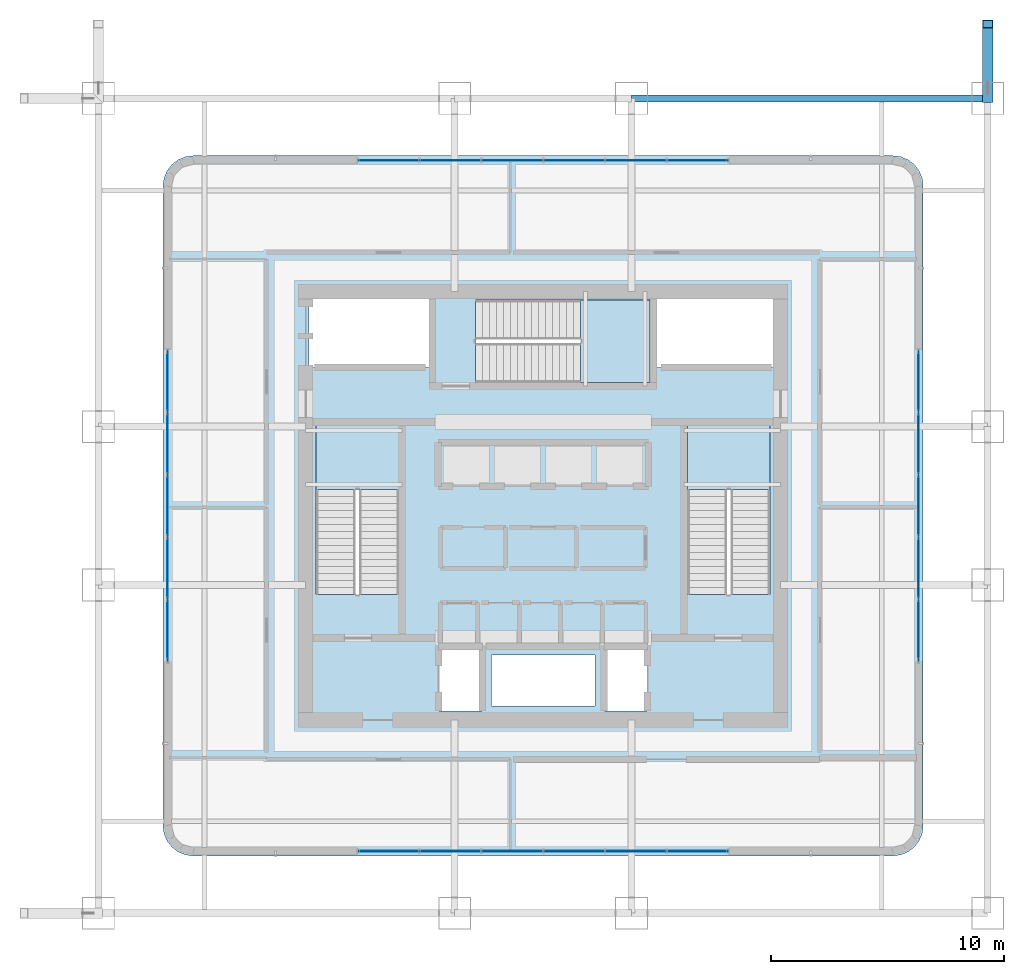
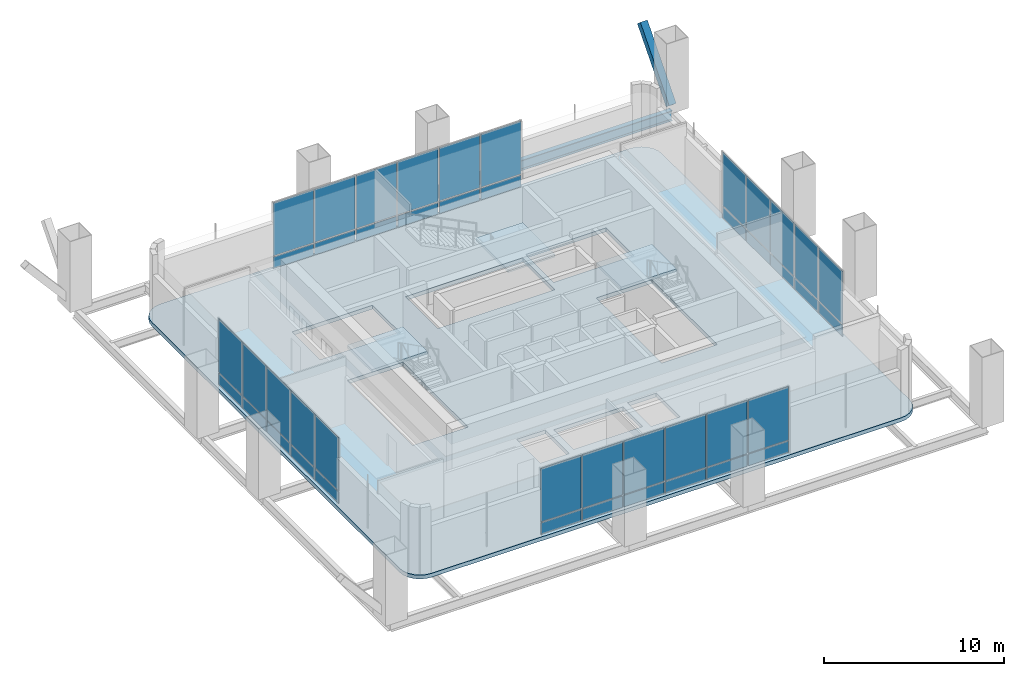
# One storey, part 15 of 30: 44 plates, 4 slabs, 1 beam, 1 member, 7 elements without a shape of their own.
"""IFC4 building model written with IfcOpenShell, lengths in metres."""

from ifc_helpers import new_model, si_unit, direction, frame, origin, origin_2d, place, context, subcontext, project, spatial, polyline, rectangle, hollow_rectangle, i_section, outline, extrude, material, layer, layer_set, material_profile, profile_set, type_object, element, aggregate, save


model = new_model("IFC4")

# Units and contexts
model_context = context("Model", 3, precision=1e-05, world=origin(), true_north=direction((0.0, 1.0)))
body_context = subcontext(model_context, "Body", "Model", "MODEL_VIEW")
ifc_project = project(units=[si_unit("LENGTHUNIT", "METRE"), si_unit("AREAUNIT", "SQUARE_METRE"), si_unit("VOLUMEUNIT", "CUBIC_METRE"), si_unit("PLANEANGLEUNIT", "RADIAN"), si_unit("MASSUNIT", "GRAM", prefix="KILO")], contexts=[model_context])

# Site, building, storey
site_placement = place(None, origin())
site = spatial("IfcSite", under=ifc_project, at=site_placement, CompositionType="ELEMENT")
building_placement = place(site_placement, origin())
building = spatial("IfcBuilding", under=site, at=building_placement, Name="Punatoya Terracotta Tower", CompositionType="ELEMENT")
storey_placement = place(building_placement, frame((0.0, 0.0, 135.0)))
storey = spatial("IfcBuildingStorey", under=building, at=storey_placement, Name="L31", CompositionType="ELEMENT", Elevation=135.0)

# Beam
ifc_material_1 = material(Name="Steel S355", Category="steel")
ifc_material_profile_1 = material_profile(ifc_material_1, i_section(OverallWidth=0.300048828125, OverallDepth=0.699951171875, WebThickness=0.01708984375, FlangeThickness=0.031982421875, FilletRadius=0.01806640625, at=origin_2d()))
ifc_profile_set_1 = profile_set([ifc_material_profile_1], Name="Steel S355")
beam_type = type_object("IfcBeamType", Name="BM-PRI-700", PredefinedType="BEAM", material=ifc_profile_set_1)
beam_placement = place(storey_placement, frame((3.800048828125, 17.5, -0.610107421875), z_axis=(1.0, 0.0, 0.0), x_axis=(0.0, 1.0, 0.0)))
element("IfcBeam", 1, at=beam_placement, inside=storey, type_object=beam_type, Name="BM-L31-RG-N3", PredefinedType="BEAM", context=body_context, shape_type="SweptSolid", body=[
    extrude(i_section(OverallWidth=0.300048828125, OverallDepth=0.699951171875, WebThickness=0.01708984375, FlangeThickness=0.031982421875, FilletRadius=0.01806640625, at=origin_2d()), origin(), (0.0, 0.0, 1.0), 15.300048828125),
])

# Member
ifc_material_2 = material(Name="Steel S460", Category="steel")
ifc_material_profile_2 = material_profile(ifc_material_2, hollow_rectangle(XDim=0.449951171875, YDim=0.449951171875, WallThickness=0.02490234375, at=origin_2d()))
ifc_profile_set_2 = profile_set([ifc_material_profile_2], Name="Steel S460")
member_type = type_object("IfcMemberType", Name="MEM-STR-450", PredefinedType="STRUT", material=ifc_profile_set_2)
member_placement = place(storey_placement, frame((19.10009765625, 17.5, 0.02001953125), z_axis=(0.0, 0.654151161257, 0.756363839845), x_axis=(-1.0, 0.0, 0.0)))
element("IfcMember", 2, at=member_placement, inside=storey, type_object=member_type, Name="L32 Cantilever Raking Knee-Strut N2", PredefinedType="STRUT", context=body_context, shape_type="SweptSolid", body=[
    extrude(hollow_rectangle(XDim=0.449951171875, YDim=0.449951171875, WallThickness=0.02490234375, at=origin_2d()), origin(), (0.0, 0.0, 1.0), 4.891845703125),
])

# Curtain wall, plates
ifc_material_3 = material(Name="Aluminium 6063-T6 + Double Low-E Glass", Category="aluminium")
curtain_wall_type = type_object("IfcCurtainWallType", Name="CW-NCK", PredefinedType="NOTDEFINED", material=ifc_material_3)
curtain_wall_1_placement = place(storey_placement, origin())
curtain_wall_1 = element("IfcCurtainWall", 3, at=curtain_wall_1_placement, inside=storey, type_object=curtain_wall_type, Name="L31 Curtain Wall CW-L31-S01-1", PredefinedType="NOTDEFINED")
ifc_material_4 = material(Name="Double Low-E Acoustic Vision Glass", Category="glass")
ifc_layer_1 = layer(ifc_material_4, 0.031982421875)
ifc_layer_set_1 = layer_set([ifc_layer_1], Name="Double Low-E Acoustic Vision Glass")
plate_type_1 = type_object("IfcPlateType", Name="PLT-GLZ-32", PredefinedType="CURTAIN_PANEL", material=ifc_layer_set_1)
plate_1_placement = place(storey_placement, frame((-6.64990234375, -14.840087890625, 0.89013671875), z_axis=(0.0, 0.0, 1.0), x_axis=(1.0, 0.0, 0.0)))
plate_1 = element("IfcPlate", 4, at=plate_1_placement, type_object=plate_type_1, Name="CW-L31-S01-1 Vision Glass Panel 1", PredefinedType="CURTAIN_PANEL", context=body_context, shape_type="SweptSolid", body=[
    extrude(rectangle(XDim=2.574951171875, YDim=0.031982421875, at=origin_2d()), origin(), (0.0, 0.0, 1.0), 3.590087890625),
])
plate_2_placement = place(storey_placement, frame((-3.989990234375, -14.840087890625, 0.89013671875), z_axis=(0.0, 0.0, 1.0), x_axis=(1.0, 0.0, 0.0)))
plate_2 = element("IfcPlate", 5, at=plate_2_placement, type_object=plate_type_1, Name="CW-L31-S01-1 Vision Glass Panel 2", PredefinedType="CURTAIN_PANEL", context=body_context, shape_type="SweptSolid", body=[
    extrude(rectangle(XDim=2.574951171875, YDim=0.031982421875, at=origin_2d()), origin(), (0.0, 0.0, 1.0), 3.590087890625),
])
plate_3_placement = place(storey_placement, frame((-1.330078125, -14.840087890625, 0.89013671875), z_axis=(0.0, 0.0, 1.0), x_axis=(1.0, 0.0, 0.0)))
plate_3 = element("IfcPlate", 6, at=plate_3_placement, type_object=plate_type_1, Name="CW-L31-S01-1 Vision Glass Panel 3", PredefinedType="CURTAIN_PANEL", context=body_context, shape_type="SweptSolid", body=[
    extrude(rectangle(XDim=2.574951171875, YDim=0.031982421875, at=origin_2d()), origin(), (0.0, 0.0, 1.0), 3.590087890625),
])
plate_4_placement = place(storey_placement, frame((1.330078125, -14.840087890625, 0.89013671875), z_axis=(0.0, 0.0, 1.0), x_axis=(1.0, 0.0, 0.0)))
plate_4 = element("IfcPlate", 7, at=plate_4_placement, type_object=plate_type_1, Name="CW-L31-S01-1 Vision Glass Panel 4", PredefinedType="CURTAIN_PANEL", context=body_context, shape_type="SweptSolid", body=[
    extrude(rectangle(XDim=2.574951171875, YDim=0.031982421875, at=origin_2d()), origin(), (0.0, 0.0, 1.0), 3.590087890625),
])
plate_5_placement = place(storey_placement, frame((3.989990234375, -14.840087890625, 0.89013671875), z_axis=(0.0, 0.0, 1.0), x_axis=(1.0, 0.0, 0.0)))
plate_5 = element("IfcPlate", 8, at=plate_5_placement, type_object=plate_type_1, Name="CW-L31-S01-1 Vision Glass Panel 5", PredefinedType="CURTAIN_PANEL", context=body_context, shape_type="SweptSolid", body=[
    extrude(rectangle(XDim=2.574951171875, YDim=0.031982421875, at=origin_2d()), origin(), (0.0, 0.0, 1.0), 3.590087890625),
])
plate_6_placement = place(storey_placement, frame((6.64990234375, -14.840087890625, 0.89013671875), z_axis=(0.0, 0.0, 1.0), x_axis=(1.0, 0.0, 0.0)))
plate_6 = element("IfcPlate", 9, at=plate_6_placement, type_object=plate_type_1, Name="CW-L31-S01-1 Vision Glass Panel 6", PredefinedType="CURTAIN_PANEL", context=body_context, shape_type="SweptSolid", body=[
    extrude(rectangle(XDim=2.574951171875, YDim=0.031982421875, at=origin_2d()), origin(), (0.0, 0.0, 1.0), 3.590087890625),
])

curtain_wall_2_placement = place(storey_placement, origin())
curtain_wall_2 = element("IfcCurtainWall", 10, at=curtain_wall_2_placement, inside=storey, type_object=curtain_wall_type, Name="L31 Curtain Wall CW-L31-E05-1", PredefinedType="NOTDEFINED")
plate_7_placement = place(storey_placement, frame((16.1298828125, -5.35205078125, 0.89013671875), z_axis=(0.0, 0.0, 1.0), x_axis=(0.0, 1.0, 0.0)))
plate_7 = element("IfcPlate", 11, at=plate_7_placement, type_object=plate_type_1, Name="CW-L31-E05-1 Vision Glass Panel 1", PredefinedType="CURTAIN_PANEL", context=body_context, shape_type="SweptSolid", body=[
    extrude(rectangle(XDim=2.591064453125, YDim=0.031982421875, at=origin_2d()), origin(), (0.0, 0.0, 1.0), 3.590087890625),
])
plate_8_placement = place(storey_placement, frame((16.1298828125, -2.676025390625, 0.89013671875), z_axis=(0.0, 0.0, 1.0), x_axis=(0.0, 1.0, 0.0)))
plate_8 = element("IfcPlate", 12, at=plate_8_placement, type_object=plate_type_1, Name="CW-L31-E05-1 Vision Glass Panel 2", PredefinedType="CURTAIN_PANEL", context=body_context, shape_type="SweptSolid", body=[
    extrude(rectangle(XDim=2.591064453125, YDim=0.031982421875, at=origin_2d()), origin(), (0.0, 0.0, 1.0), 3.590087890625),
])
plate_9_placement = place(storey_placement, frame((16.1298828125, 0.0, 0.89013671875), z_axis=(0.0, 0.0, 1.0), x_axis=(0.0, 1.0, 0.0)))
plate_9 = element("IfcPlate", 13, at=plate_9_placement, type_object=plate_type_1, Name="CW-L31-E05-1 Vision Glass Panel 3", PredefinedType="CURTAIN_PANEL", context=body_context, shape_type="SweptSolid", body=[
    extrude(rectangle(XDim=2.591064453125, YDim=0.031982421875, at=origin_2d()), origin(), (0.0, 0.0, 1.0), 3.590087890625),
])
plate_10_placement = place(storey_placement, frame((16.1298828125, 2.676025390625, 0.89013671875), z_axis=(0.0, 0.0, 1.0), x_axis=(0.0, 1.0, 0.0)))
plate_10 = element("IfcPlate", 14, at=plate_10_placement, type_object=plate_type_1, Name="CW-L31-E05-1 Vision Glass Panel 4", PredefinedType="CURTAIN_PANEL", context=body_context, shape_type="SweptSolid", body=[
    extrude(rectangle(XDim=2.591064453125, YDim=0.031982421875, at=origin_2d()), origin(), (0.0, 0.0, 1.0), 3.590087890625),
])
plate_11_placement = place(storey_placement, frame((16.1298828125, 5.35205078125, 0.89013671875), z_axis=(0.0, 0.0, 1.0), x_axis=(0.0, 1.0, 0.0)))
plate_11 = element("IfcPlate", 15, at=plate_11_placement, type_object=plate_type_1, Name="CW-L31-E05-1 Vision Glass Panel 5", PredefinedType="CURTAIN_PANEL", context=body_context, shape_type="SweptSolid", body=[
    extrude(rectangle(XDim=2.591064453125, YDim=0.031982421875, at=origin_2d()), origin(), (0.0, 0.0, 1.0), 3.590087890625),
])

curtain_wall_3_placement = place(storey_placement, origin())
curtain_wall_3 = element("IfcCurtainWall", 16, at=curtain_wall_3_placement, inside=storey, type_object=curtain_wall_type, Name="L31 Curtain Wall CW-L31-N09-1", PredefinedType="NOTDEFINED")
plate_12_placement = place(storey_placement, frame((6.64990234375, 14.840087890625, 0.89013671875), z_axis=(0.0, 0.0, 1.0), x_axis=(-1.0, 0.0, 0.0)))
plate_12 = element("IfcPlate", 17, at=plate_12_placement, type_object=plate_type_1, Name="CW-L31-N09-1 Vision Glass Panel 1", PredefinedType="CURTAIN_PANEL", context=body_context, shape_type="SweptSolid", body=[
    extrude(rectangle(XDim=2.574951171875, YDim=0.031982421875, at=origin_2d()), origin(), (0.0, 0.0, 1.0), 3.590087890625),
])
plate_13_placement = place(storey_placement, frame((3.989990234375, 14.840087890625, 0.89013671875), z_axis=(0.0, 0.0, 1.0), x_axis=(-1.0, 0.0, 0.0)))
plate_13 = element("IfcPlate", 18, at=plate_13_placement, type_object=plate_type_1, Name="CW-L31-N09-1 Vision Glass Panel 2", PredefinedType="CURTAIN_PANEL", context=body_context, shape_type="SweptSolid", body=[
    extrude(rectangle(XDim=2.574951171875, YDim=0.031982421875, at=origin_2d()), origin(), (0.0, 0.0, 1.0), 3.590087890625),
])
plate_14_placement = place(storey_placement, frame((1.330078125, 14.840087890625, 0.89013671875), z_axis=(0.0, 0.0, 1.0), x_axis=(-1.0, 0.0, 0.0)))
plate_14 = element("IfcPlate", 19, at=plate_14_placement, type_object=plate_type_1, Name="CW-L31-N09-1 Vision Glass Panel 3", PredefinedType="CURTAIN_PANEL", context=body_context, shape_type="SweptSolid", body=[
    extrude(rectangle(XDim=2.574951171875, YDim=0.031982421875, at=origin_2d()), origin(), (0.0, 0.0, 1.0), 3.590087890625),
])
plate_15_placement = place(storey_placement, frame((-1.330078125, 14.840087890625, 0.89013671875), z_axis=(0.0, 0.0, 1.0), x_axis=(-1.0, 0.0, 0.0)))
plate_15 = element("IfcPlate", 20, at=plate_15_placement, type_object=plate_type_1, Name="CW-L31-N09-1 Vision Glass Panel 4", PredefinedType="CURTAIN_PANEL", context=body_context, shape_type="SweptSolid", body=[
    extrude(rectangle(XDim=2.574951171875, YDim=0.031982421875, at=origin_2d()), origin(), (0.0, 0.0, 1.0), 3.590087890625),
])
plate_16_placement = place(storey_placement, frame((-3.989990234375, 14.840087890625, 0.89013671875), z_axis=(0.0, 0.0, 1.0), x_axis=(-1.0, 0.0, 0.0)))
plate_16 = element("IfcPlate", 21, at=plate_16_placement, type_object=plate_type_1, Name="CW-L31-N09-1 Vision Glass Panel 5", PredefinedType="CURTAIN_PANEL", context=body_context, shape_type="SweptSolid", body=[
    extrude(rectangle(XDim=2.574951171875, YDim=0.031982421875, at=origin_2d()), origin(), (0.0, 0.0, 1.0), 3.590087890625),
])
plate_17_placement = place(storey_placement, frame((-6.64990234375, 14.840087890625, 0.89013671875), z_axis=(0.0, 0.0, 1.0), x_axis=(-1.0, 0.0, 0.0)))
plate_17 = element("IfcPlate", 22, at=plate_17_placement, type_object=plate_type_1, Name="CW-L31-N09-1 Vision Glass Panel 6", PredefinedType="CURTAIN_PANEL", context=body_context, shape_type="SweptSolid", body=[
    extrude(rectangle(XDim=2.574951171875, YDim=0.031982421875, at=origin_2d()), origin(), (0.0, 0.0, 1.0), 3.590087890625),
])

curtain_wall_4_placement = place(storey_placement, origin())
curtain_wall_4 = element("IfcCurtainWall", 23, at=curtain_wall_4_placement, inside=storey, type_object=curtain_wall_type, Name="L31 Curtain Wall CW-L31-W13-1", PredefinedType="NOTDEFINED")
plate_18_placement = place(storey_placement, frame((-16.1298828125, 5.35205078125, 0.89013671875), z_axis=(0.0, 0.0, 1.0), x_axis=(0.0, -1.0, 0.0)))
plate_18 = element("IfcPlate", 24, at=plate_18_placement, type_object=plate_type_1, Name="CW-L31-W13-1 Vision Glass Panel 1", PredefinedType="CURTAIN_PANEL", context=body_context, shape_type="SweptSolid", body=[
    extrude(rectangle(XDim=2.591064453125, YDim=0.031982421875, at=origin_2d()), origin(), (0.0, 0.0, 1.0), 3.590087890625),
])
plate_19_placement = place(storey_placement, frame((-16.1298828125, 2.676025390625, 0.89013671875), z_axis=(0.0, 0.0, 1.0), x_axis=(0.0, -1.0, 0.0)))
plate_19 = element("IfcPlate", 25, at=plate_19_placement, type_object=plate_type_1, Name="CW-L31-W13-1 Vision Glass Panel 2", PredefinedType="CURTAIN_PANEL", context=body_context, shape_type="SweptSolid", body=[
    extrude(rectangle(XDim=2.591064453125, YDim=0.031982421875, at=origin_2d()), origin(), (0.0, 0.0, 1.0), 3.590087890625),
])
plate_20_placement = place(storey_placement, frame((-16.1298828125, 0.0, 0.89013671875), z_axis=(0.0, 0.0, 1.0), x_axis=(0.0, -1.0, 0.0)))
plate_20 = element("IfcPlate", 26, at=plate_20_placement, type_object=plate_type_1, Name="CW-L31-W13-1 Vision Glass Panel 3", PredefinedType="CURTAIN_PANEL", context=body_context, shape_type="SweptSolid", body=[
    extrude(rectangle(XDim=2.591064453125, YDim=0.031982421875, at=origin_2d()), origin(), (0.0, 0.0, 1.0), 3.590087890625),
])
plate_21_placement = place(storey_placement, frame((-16.1298828125, -2.676025390625, 0.89013671875), z_axis=(0.0, 0.0, 1.0), x_axis=(0.0, -1.0, 0.0)))
plate_21 = element("IfcPlate", 27, at=plate_21_placement, type_object=plate_type_1, Name="CW-L31-W13-1 Vision Glass Panel 4", PredefinedType="CURTAIN_PANEL", context=body_context, shape_type="SweptSolid", body=[
    extrude(rectangle(XDim=2.591064453125, YDim=0.031982421875, at=origin_2d()), origin(), (0.0, 0.0, 1.0), 3.590087890625),
])
plate_22_placement = place(storey_placement, frame((-16.1298828125, -5.35205078125, 0.89013671875), z_axis=(0.0, 0.0, 1.0), x_axis=(0.0, -1.0, 0.0)))
plate_22 = element("IfcPlate", 28, at=plate_22_placement, type_object=plate_type_1, Name="CW-L31-W13-1 Vision Glass Panel 5", PredefinedType="CURTAIN_PANEL", context=body_context, shape_type="SweptSolid", body=[
    extrude(rectangle(XDim=2.591064453125, YDim=0.031982421875, at=origin_2d()), origin(), (0.0, 0.0, 1.0), 3.590087890625),
])

# Plate
ifc_material_5 = material(Name="Insulated Terracotta-Backed Spandrel Panel", Category="masonry")
ifc_layer_2 = layer(ifc_material_5, 0.044921875)
ifc_layer_set_2 = layer_set([ifc_layer_2], Name="Insulated Terracotta-Backed Spandrel Panel")
plate_type_2 = type_object("IfcPlateType", Name="PLT-SPN-45", PredefinedType="CURTAIN_PANEL", material=ifc_layer_set_2)
plate_23_placement = place(storey_placement, frame((-6.64990234375, -14.840087890625, 0.0400390625), z_axis=(0.0, 0.0, 1.0), x_axis=(1.0, 0.0, 0.0)))
plate_23 = element("IfcPlate", 29, at=plate_23_placement, type_object=plate_type_2, Name="CW-L31-S01-1 Terracotta Spandrel Panel 1", PredefinedType="CURTAIN_PANEL", context=body_context, shape_type="SweptSolid", body=[
    extrude(rectangle(XDim=2.574951171875, YDim=0.044921875, at=origin_2d()), origin(), (0.0, 0.0, 1.0), 0.77490234375),
])

plate_24_placement = place(storey_placement, frame((-3.989990234375, -14.840087890625, 0.0400390625), z_axis=(0.0, 0.0, 1.0), x_axis=(1.0, 0.0, 0.0)))
plate_24 = element("IfcPlate", 30, at=plate_24_placement, type_object=plate_type_2, Name="CW-L31-S01-1 Terracotta Spandrel Panel 2", PredefinedType="CURTAIN_PANEL", context=body_context, shape_type="SweptSolid", body=[
    extrude(rectangle(XDim=2.574951171875, YDim=0.044921875, at=origin_2d()), origin(), (0.0, 0.0, 1.0), 0.77490234375),
])

plate_25_placement = place(storey_placement, frame((-1.330078125, -14.840087890625, 0.0400390625), z_axis=(0.0, 0.0, 1.0), x_axis=(1.0, 0.0, 0.0)))
plate_25 = element("IfcPlate", 31, at=plate_25_placement, type_object=plate_type_2, Name="CW-L31-S01-1 Terracotta Spandrel Panel 3", PredefinedType="CURTAIN_PANEL", context=body_context, shape_type="SweptSolid", body=[
    extrude(rectangle(XDim=2.574951171875, YDim=0.044921875, at=origin_2d()), origin(), (0.0, 0.0, 1.0), 0.77490234375),
])

plate_26_placement = place(storey_placement, frame((1.330078125, -14.840087890625, 0.0400390625), z_axis=(0.0, 0.0, 1.0), x_axis=(1.0, 0.0, 0.0)))
plate_26 = element("IfcPlate", 32, at=plate_26_placement, type_object=plate_type_2, Name="CW-L31-S01-1 Terracotta Spandrel Panel 4", PredefinedType="CURTAIN_PANEL", context=body_context, shape_type="SweptSolid", body=[
    extrude(rectangle(XDim=2.574951171875, YDim=0.044921875, at=origin_2d()), origin(), (0.0, 0.0, 1.0), 0.77490234375),
])

plate_27_placement = place(storey_placement, frame((3.989990234375, -14.840087890625, 0.0400390625), z_axis=(0.0, 0.0, 1.0), x_axis=(1.0, 0.0, 0.0)))
plate_27 = element("IfcPlate", 33, at=plate_27_placement, type_object=plate_type_2, Name="CW-L31-S01-1 Terracotta Spandrel Panel 5", PredefinedType="CURTAIN_PANEL", context=body_context, shape_type="SweptSolid", body=[
    extrude(rectangle(XDim=2.574951171875, YDim=0.044921875, at=origin_2d()), origin(), (0.0, 0.0, 1.0), 0.77490234375),
])

plate_28_placement = place(storey_placement, frame((6.64990234375, -14.840087890625, 0.0400390625), z_axis=(0.0, 0.0, 1.0), x_axis=(1.0, 0.0, 0.0)))
plate_28 = element("IfcPlate", 34, at=plate_28_placement, type_object=plate_type_2, Name="CW-L31-S01-1 Terracotta Spandrel Panel 6", PredefinedType="CURTAIN_PANEL", context=body_context, shape_type="SweptSolid", body=[
    extrude(rectangle(XDim=2.574951171875, YDim=0.044921875, at=origin_2d()), origin(), (0.0, 0.0, 1.0), 0.77490234375),
])

aggregate(curtain_wall_1, [plate_23, plate_1, plate_24, plate_2, plate_25, plate_3, plate_26, plate_4, plate_27, plate_5, plate_28, plate_6])

plate_29_placement = place(storey_placement, frame((16.1298828125, -5.35205078125, 0.0400390625), z_axis=(0.0, 0.0, 1.0), x_axis=(0.0, 1.0, 0.0)))
plate_29 = element("IfcPlate", 35, at=plate_29_placement, type_object=plate_type_2, Name="CW-L31-E05-1 Terracotta Spandrel Panel 1", PredefinedType="CURTAIN_PANEL", context=body_context, shape_type="SweptSolid", body=[
    extrude(rectangle(XDim=2.591064453125, YDim=0.044921875, at=origin_2d()), origin(), (0.0, 0.0, 1.0), 0.77490234375),
])

plate_30_placement = place(storey_placement, frame((16.1298828125, -2.676025390625, 0.0400390625), z_axis=(0.0, 0.0, 1.0), x_axis=(0.0, 1.0, 0.0)))
plate_30 = element("IfcPlate", 36, at=plate_30_placement, type_object=plate_type_2, Name="CW-L31-E05-1 Terracotta Spandrel Panel 2", PredefinedType="CURTAIN_PANEL", context=body_context, shape_type="SweptSolid", body=[
    extrude(rectangle(XDim=2.591064453125, YDim=0.044921875, at=origin_2d()), origin(), (0.0, 0.0, 1.0), 0.77490234375),
])

plate_31_placement = place(storey_placement, frame((16.1298828125, 0.0, 0.0400390625), z_axis=(0.0, 0.0, 1.0), x_axis=(0.0, 1.0, 0.0)))
plate_31 = element("IfcPlate", 37, at=plate_31_placement, type_object=plate_type_2, Name="CW-L31-E05-1 Terracotta Spandrel Panel 3", PredefinedType="CURTAIN_PANEL", context=body_context, shape_type="SweptSolid", body=[
    extrude(rectangle(XDim=2.591064453125, YDim=0.044921875, at=origin_2d()), origin(), (0.0, 0.0, 1.0), 0.77490234375),
])

plate_32_placement = place(storey_placement, frame((16.1298828125, 2.676025390625, 0.0400390625), z_axis=(0.0, 0.0, 1.0), x_axis=(0.0, 1.0, 0.0)))
plate_32 = element("IfcPlate", 38, at=plate_32_placement, type_object=plate_type_2, Name="CW-L31-E05-1 Terracotta Spandrel Panel 4", PredefinedType="CURTAIN_PANEL", context=body_context, shape_type="SweptSolid", body=[
    extrude(rectangle(XDim=2.591064453125, YDim=0.044921875, at=origin_2d()), origin(), (0.0, 0.0, 1.0), 0.77490234375),
])

plate_33_placement = place(storey_placement, frame((16.1298828125, 5.35205078125, 0.0400390625), z_axis=(0.0, 0.0, 1.0), x_axis=(0.0, 1.0, 0.0)))
plate_33 = element("IfcPlate", 39, at=plate_33_placement, type_object=plate_type_2, Name="CW-L31-E05-1 Terracotta Spandrel Panel 5", PredefinedType="CURTAIN_PANEL", context=body_context, shape_type="SweptSolid", body=[
    extrude(rectangle(XDim=2.591064453125, YDim=0.044921875, at=origin_2d()), origin(), (0.0, 0.0, 1.0), 0.77490234375),
])

aggregate(curtain_wall_2, [plate_29, plate_7, plate_30, plate_8, plate_31, plate_9, plate_32, plate_10, plate_33, plate_11])

plate_34_placement = place(storey_placement, frame((6.64990234375, 14.840087890625, 0.0400390625), z_axis=(0.0, 0.0, 1.0), x_axis=(-1.0, 0.0, 0.0)))
plate_34 = element("IfcPlate", 40, at=plate_34_placement, type_object=plate_type_2, Name="CW-L31-N09-1 Terracotta Spandrel Panel 1", PredefinedType="CURTAIN_PANEL", context=body_context, shape_type="SweptSolid", body=[
    extrude(rectangle(XDim=2.574951171875, YDim=0.044921875, at=origin_2d()), origin(), (0.0, 0.0, 1.0), 0.77490234375),
])

plate_35_placement = place(storey_placement, frame((3.989990234375, 14.840087890625, 0.0400390625), z_axis=(0.0, 0.0, 1.0), x_axis=(-1.0, 0.0, 0.0)))
plate_35 = element("IfcPlate", 41, at=plate_35_placement, type_object=plate_type_2, Name="CW-L31-N09-1 Terracotta Spandrel Panel 2", PredefinedType="CURTAIN_PANEL", context=body_context, shape_type="SweptSolid", body=[
    extrude(rectangle(XDim=2.574951171875, YDim=0.044921875, at=origin_2d()), origin(), (0.0, 0.0, 1.0), 0.77490234375),
])

plate_36_placement = place(storey_placement, frame((1.330078125, 14.840087890625, 0.0400390625), z_axis=(0.0, 0.0, 1.0), x_axis=(-1.0, 0.0, 0.0)))
plate_36 = element("IfcPlate", 42, at=plate_36_placement, type_object=plate_type_2, Name="CW-L31-N09-1 Terracotta Spandrel Panel 3", PredefinedType="CURTAIN_PANEL", context=body_context, shape_type="SweptSolid", body=[
    extrude(rectangle(XDim=2.574951171875, YDim=0.044921875, at=origin_2d()), origin(), (0.0, 0.0, 1.0), 0.77490234375),
])

plate_37_placement = place(storey_placement, frame((-1.330078125, 14.840087890625, 0.0400390625), z_axis=(0.0, 0.0, 1.0), x_axis=(-1.0, 0.0, 0.0)))
plate_37 = element("IfcPlate", 43, at=plate_37_placement, type_object=plate_type_2, Name="CW-L31-N09-1 Terracotta Spandrel Panel 4", PredefinedType="CURTAIN_PANEL", context=body_context, shape_type="SweptSolid", body=[
    extrude(rectangle(XDim=2.574951171875, YDim=0.044921875, at=origin_2d()), origin(), (0.0, 0.0, 1.0), 0.77490234375),
])

plate_38_placement = place(storey_placement, frame((-3.989990234375, 14.840087890625, 0.0400390625), z_axis=(0.0, 0.0, 1.0), x_axis=(-1.0, 0.0, 0.0)))
plate_38 = element("IfcPlate", 44, at=plate_38_placement, type_object=plate_type_2, Name="CW-L31-N09-1 Terracotta Spandrel Panel 5", PredefinedType="CURTAIN_PANEL", context=body_context, shape_type="SweptSolid", body=[
    extrude(rectangle(XDim=2.574951171875, YDim=0.044921875, at=origin_2d()), origin(), (0.0, 0.0, 1.0), 0.77490234375),
])

plate_39_placement = place(storey_placement, frame((-6.64990234375, 14.840087890625, 0.0400390625), z_axis=(0.0, 0.0, 1.0), x_axis=(-1.0, 0.0, 0.0)))
plate_39 = element("IfcPlate", 45, at=plate_39_placement, type_object=plate_type_2, Name="CW-L31-N09-1 Terracotta Spandrel Panel 6", PredefinedType="CURTAIN_PANEL", context=body_context, shape_type="SweptSolid", body=[
    extrude(rectangle(XDim=2.574951171875, YDim=0.044921875, at=origin_2d()), origin(), (0.0, 0.0, 1.0), 0.77490234375),
])

aggregate(curtain_wall_3, [plate_34, plate_12, plate_35, plate_13, plate_36, plate_14, plate_37, plate_15, plate_38, plate_16, plate_39, plate_17])

plate_40_placement = place(storey_placement, frame((-16.1298828125, 5.35205078125, 0.0400390625), z_axis=(0.0, 0.0, 1.0), x_axis=(0.0, -1.0, 0.0)))
plate_40 = element("IfcPlate", 46, at=plate_40_placement, type_object=plate_type_2, Name="CW-L31-W13-1 Terracotta Spandrel Panel 1", PredefinedType="CURTAIN_PANEL", context=body_context, shape_type="SweptSolid", body=[
    extrude(rectangle(XDim=2.591064453125, YDim=0.044921875, at=origin_2d()), origin(), (0.0, 0.0, 1.0), 0.77490234375),
])

plate_41_placement = place(storey_placement, frame((-16.1298828125, 2.676025390625, 0.0400390625), z_axis=(0.0, 0.0, 1.0), x_axis=(0.0, -1.0, 0.0)))
plate_41 = element("IfcPlate", 47, at=plate_41_placement, type_object=plate_type_2, Name="CW-L31-W13-1 Terracotta Spandrel Panel 2", PredefinedType="CURTAIN_PANEL", context=body_context, shape_type="SweptSolid", body=[
    extrude(rectangle(XDim=2.591064453125, YDim=0.044921875, at=origin_2d()), origin(), (0.0, 0.0, 1.0), 0.77490234375),
])

plate_42_placement = place(storey_placement, frame((-16.1298828125, 0.0, 0.0400390625), z_axis=(0.0, 0.0, 1.0), x_axis=(0.0, -1.0, 0.0)))
plate_42 = element("IfcPlate", 48, at=plate_42_placement, type_object=plate_type_2, Name="CW-L31-W13-1 Terracotta Spandrel Panel 3", PredefinedType="CURTAIN_PANEL", context=body_context, shape_type="SweptSolid", body=[
    extrude(rectangle(XDim=2.591064453125, YDim=0.044921875, at=origin_2d()), origin(), (0.0, 0.0, 1.0), 0.77490234375),
])

plate_43_placement = place(storey_placement, frame((-16.1298828125, -2.676025390625, 0.0400390625), z_axis=(0.0, 0.0, 1.0), x_axis=(0.0, -1.0, 0.0)))
plate_43 = element("IfcPlate", 49, at=plate_43_placement, type_object=plate_type_2, Name="CW-L31-W13-1 Terracotta Spandrel Panel 4", PredefinedType="CURTAIN_PANEL", context=body_context, shape_type="SweptSolid", body=[
    extrude(rectangle(XDim=2.591064453125, YDim=0.044921875, at=origin_2d()), origin(), (0.0, 0.0, 1.0), 0.77490234375),
])

plate_44_placement = place(storey_placement, frame((-16.1298828125, -5.35205078125, 0.0400390625), z_axis=(0.0, 0.0, 1.0), x_axis=(0.0, -1.0, 0.0)))
plate_44 = element("IfcPlate", 50, at=plate_44_placement, type_object=plate_type_2, Name="CW-L31-W13-1 Terracotta Spandrel Panel 5", PredefinedType="CURTAIN_PANEL", context=body_context, shape_type="SweptSolid", body=[
    extrude(rectangle(XDim=2.591064453125, YDim=0.044921875, at=origin_2d()), origin(), (0.0, 0.0, 1.0), 0.77490234375),
])

aggregate(curtain_wall_4, [plate_40, plate_18, plate_41, plate_19, plate_42, plate_20, plate_43, plate_21, plate_44, plate_22])

# Stair, slab
ifc_material_6 = material(Name="Concrete C40/50", Category="concrete")
stair_type_1 = type_object("IfcStairType", Name="STR-TER-1450", PredefinedType="HALF_TURN_STAIR", material=ifc_material_6)
stair_1_placement = place(storey_placement, origin())
stair_1 = element("IfcStair", 51, at=stair_1_placement, inside=storey, type_object=stair_type_1, Name="L31 Protected Core Exit Stair ST-3", PredefinedType="HALF_TURN_STAIR")
ifc_layer_3 = layer(ifc_material_6, 0.1650390625)
ifc_layer_set_3 = layer_set([ifc_layer_3], Name="Concrete C40/50")
slab_type_1 = type_object("IfcSlabType", Name="SLB-LND-165", PredefinedType="LANDING", material=ifc_layer_set_3)
slab_1_placement = place(storey_placement, frame((0.0, 0.0, 2.199951171875)))
slab_1 = element("IfcSlab", 52, at=slab_1_placement, type_object=slab_type_1, Name="ST-3 landing 1", PredefinedType="LANDING", context=body_context, shape_type="SweptSolid", body=[
    extrude(outline(polyline([(1.60009765625, 5.300048828125), (4.60009765625, 5.300048828125), (4.60009765625, 8.85009765625), (1.60009765625, 8.85009765625), (1.60009765625, 5.300048828125)])), origin(), (0.0, 0.0, 1.0), 0.199951171875),
])
aggregate(stair_1, [slab_1])

stair_type_2 = type_object("IfcStairType", Name="STR-CORE-1550", PredefinedType="HALF_TURN_STAIR", material=ifc_material_6)
stair_2_placement = place(storey_placement, origin())
stair_2 = element("IfcStair", 53, at=stair_2_placement, inside=storey, type_object=stair_type_2, Name="L31 Protected Core Exit Stair ST-1", PredefinedType="HALF_TURN_STAIR")
ifc_layer_4 = layer(ifc_material_6, 0.179931640625)
ifc_layer_set_4 = layer_set([ifc_layer_4], Name="Concrete C40/50")
slab_type_2 = type_object("IfcSlabType", Name="SLB-LND-180", PredefinedType="LANDING", material=ifc_layer_set_4)
slab_2_placement = place(storey_placement, frame((0.0, 0.0, 2.199951171875)))
slab_2 = element("IfcSlab", 54, at=slab_2_placement, type_object=slab_type_2, Name="ST-1 landing 1", PredefinedType="LANDING", context=body_context, shape_type="SweptSolid", body=[
    extrude(outline(polyline([(-6.199951171875, 0.699951171875), (-6.199951171875, 3.449951171875), (-9.75, 3.449951171875), (-9.75, 0.699951171875), (-6.199951171875, 0.699951171875)])), origin(), (0.0, 0.0, 1.0), 0.199951171875),
])
aggregate(stair_2, [slab_2])

stair_type_3 = type_object("IfcStairType", Name="STR-LOB-1650", PredefinedType="HALF_TURN_STAIR", material=ifc_material_6)
stair_3_placement = place(storey_placement, origin())
stair_3 = element("IfcStair", 55, at=stair_3_placement, inside=storey, type_object=stair_type_3, Name="L31 Protected Core Exit Stair ST-2", PredefinedType="HALF_TURN_STAIR")
slab_3_placement = place(storey_placement, frame((0.0, 0.0, 2.199951171875)))
slab_3 = element("IfcSlab", 56, at=slab_3_placement, type_object=slab_type_2, Name="ST-2 landing 1", PredefinedType="LANDING", context=body_context, shape_type="SweptSolid", body=[
    extrude(outline(polyline([(9.75, 0.699951171875), (9.75, 3.449951171875), (6.199951171875, 3.449951171875), (6.199951171875, 0.699951171875), (9.75, 0.699951171875)])), origin(), (0.0, 0.0, 1.0), 0.199951171875),
])
aggregate(stair_3, [slab_3])

# Slab
ifc_layer_5 = layer(ifc_material_6, 0.260009765625)
ifc_layer_set_5 = layer_set([ifc_layer_5], Name="Concrete C40/50")
slab_type_3 = type_object("IfcSlabType", Name="SLB-NCK-260", PredefinedType="FLOOR", material=ifc_layer_set_5)
slab_4_placement = place(storey_placement, frame((0.0, 0.0, -0.260009765625)))
element("IfcSlab", 57, at=slab_4_placement, inside=storey, type_object=slab_type_3, Name="L31 Structural Floor Slab", PredefinedType="FLOOR", context=body_context, shape_type="SweptSolid", body=[
    extrude(outline(polyline([(-15.030029296875, -15.0400390625), (-15.366455078125, -14.99560546875), (-15.679931640625, -14.86572265625), (-15.94921875, -14.6591796875), (-16.15576171875, -14.389892578125), (-16.28564453125, -14.076416015625), (-16.330078125, -13.739990234375), (-16.330078125, 13.739990234375), (-16.28564453125, 14.076416015625), (-16.15576171875, 14.389892578125), (-15.94921875, 14.6591796875), (-15.679931640625, 14.86572265625), (-15.366455078125, 14.99560546875), (-15.030029296875, 15.0400390625), (15.030029296875, 15.0400390625), (15.366455078125, 14.99560546875), (15.679931640625, 14.86572265625), (15.94921875, 14.6591796875), (16.15576171875, 14.389892578125), (16.28564453125, 14.076416015625), (16.330078125, 13.739990234375), (16.330078125, -13.739990234375), (16.28564453125, -14.076416015625), (16.15576171875, -14.389892578125), (15.94921875, -14.6591796875), (15.679931640625, -14.86572265625), (15.366455078125, -14.99560546875), (15.030029296875, -15.0400390625), (-15.030029296875, -15.0400390625)]), holes=[polyline([(-2.6298828125, -6.179931640625), (-4.469970703125, -6.179931640625), (-4.469970703125, -8.820068359375), (-2.6298828125, -8.820068359375), (-2.6298828125, -6.179931640625)]), polyline([(-0.02001953125, -6.405029296875), (-2.219970703125, -6.405029296875), (-2.219970703125, -8.594970703125), (-0.02001953125, -8.594970703125), (0.02001953125, -8.594970703125), (2.219970703125, -8.594970703125), (2.219970703125, -6.405029296875), (0.02001953125, -6.405029296875), (-0.02001953125, -6.405029296875)]), polyline([(4.469970703125, -6.179931640625), (2.6298828125, -6.179931640625), (2.6298828125, -8.820068359375), (4.469970703125, -8.820068359375), (4.469970703125, -6.179931640625)]), polyline([(-9.75, 3.449951171875), (-9.75, -3.79931640625), (-6.199951171875, -3.79931640625), (-6.199951171875, 3.449951171875), (-9.75, 3.449951171875)]), polyline([(6.199951171875, 3.449951171875), (6.199951171875, -3.79931640625), (9.75, -3.79931640625), (9.75, 3.449951171875), (6.199951171875, 3.449951171875)]), polyline([(4.60009765625, 8.85009765625), (-2.899169921875, 8.85009765625), (-2.899169921875, 5.300048828125), (4.60009765625, 5.300048828125), (4.60009765625, 8.85009765625)]), polyline([(-4.89990234375, 5.949951171875), (-4.89990234375, 9.050048828125), (-10.050048828125, 9.050048828125), (-10.050048828125, 5.949951171875), (-4.89990234375, 5.949951171875)]), polyline([(10.050048828125, 5.949951171875), (10.050048828125, 9.050048828125), (4.89990234375, 9.050048828125), (4.89990234375, 5.949951171875), (10.050048828125, 5.949951171875)])]), origin(), (0.0, 0.0, 1.0), 0.260009765625),
])

save(model, "model.ifc")
